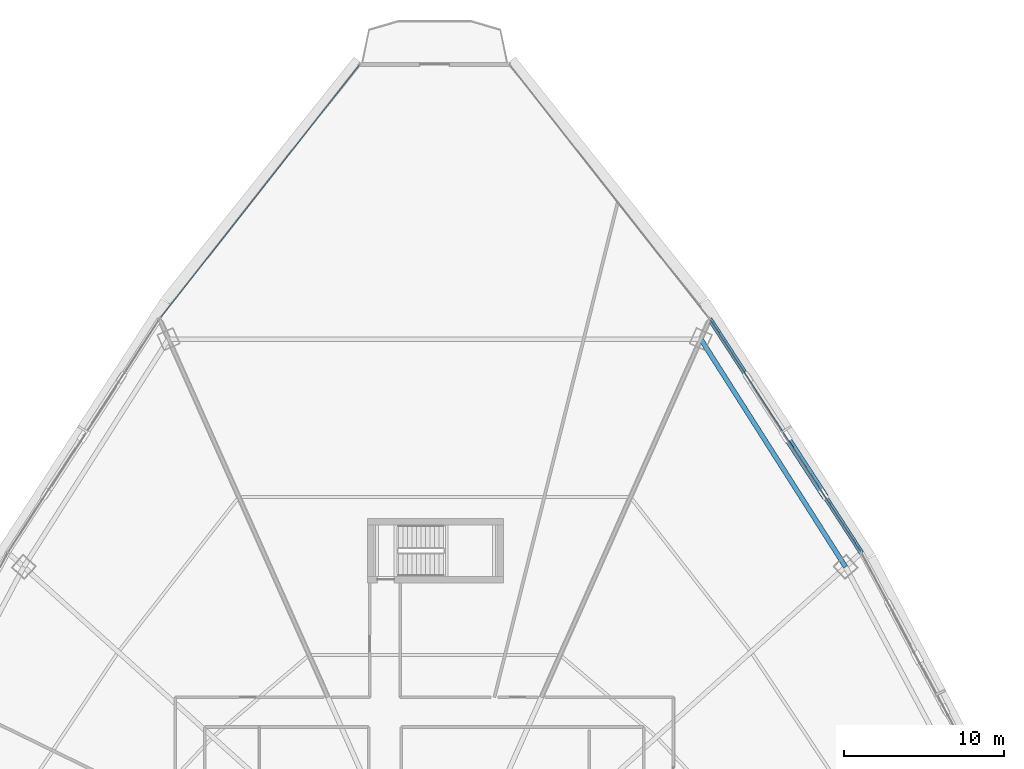
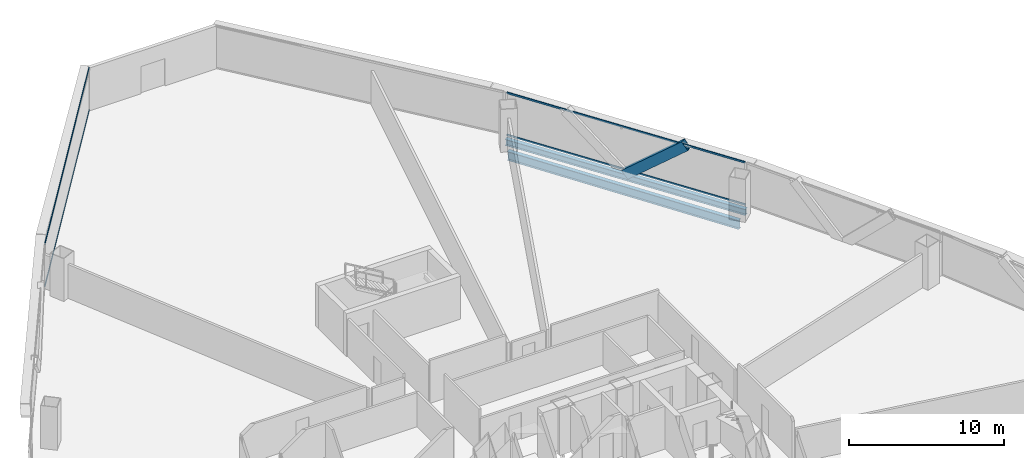
# One storey, part 25 of 37: 5 members, 2 beams, 2 elements without a shape of their own.
"""IFC4 building model written with IfcOpenShell, lengths in metres."""

from ifc_helpers import new_model, si_unit, direction, frame, origin, origin_2d, place, context, subcontext, project, spatial, hollow_rectangle, i_section, extrude, source, transform, mapped, material, layer, layer_set, material_profile, profile_set, type_object, element, aggregate, save


model = new_model("IFC4")

# Units and contexts
model_context = context("Model", 3, precision=1e-05, world=origin(), true_north=direction((0.0, 1.0)))
body_context = subcontext(model_context, "Body", "Model", "MODEL_VIEW")
ifc_project = project(units=[si_unit("LENGTHUNIT", "METRE"), si_unit("AREAUNIT", "SQUARE_METRE"), si_unit("VOLUMEUNIT", "CUBIC_METRE"), si_unit("PLANEANGLEUNIT", "RADIAN"), si_unit("MASSUNIT", "GRAM", prefix="KILO"), si_unit("THERMODYNAMICTEMPERATUREUNIT", "KELVIN"), si_unit("POWERUNIT", "WATT")], contexts=[model_context])

# Site, building, storey
site_placement = place(None, origin())
site = spatial("IfcSite", under=ifc_project, at=site_placement, CompositionType="ELEMENT")
building_placement = place(site_placement, origin())
building = spatial("IfcBuilding", under=site, at=building_placement, Name="Yunzhuo Pagoda Commons", CompositionType="ELEMENT")
storey_placement = place(building_placement, frame((0.0, 0.0, 55.81005859375)))
storey = spatial("IfcBuildingStorey", under=building, at=storey_placement, Name="L14", CompositionType="ELEMENT", Elevation=55.81005859375)

# Beams
ifc_material_1 = material(Name="Structural steel Q355B", Category="steel")
ifc_material_profile_1 = material_profile(ifc_material_1, i_section(OverallWidth=0.300048828125, OverallDepth=0.699951171875, WebThickness=0.012939453125, FlangeThickness=0.02392578125, at=origin_2d()), Name="Structural steel Q355B")
ifc_profile_set_1 = profile_set([ifc_material_profile_1], Name="Structural steel Q355B")
beam_type_1 = type_object("IfcBeamType", Name="B-RG1 Beam HN 700x300x13x24", PredefinedType="BEAM", material=ifc_profile_set_1)
shared_shape_1 = source(origin(), body_context, "Body", "SweptSolid", [
    extrude(i_section(OverallWidth=0.300048828125, OverallDepth=0.699951171875, WebThickness=0.012939453125, FlangeThickness=0.02392578125, at=origin_2d()), origin(), (0.0, 0.0, 1.0), 16.843994140625),
])
beam_1_placement = place(storey_placement, frame((73.648681640625, 56.79443359375, -0.610107421875), z_axis=(-0.536558458992, 0.843863152462, 0.0), x_axis=(-0.843863152462, -0.536558458992, 0.0)))
element("IfcBeam", 1, at=beam_1_placement, inside=storey, type_object=beam_type_1, Name="L14 column-ring beam 7", PredefinedType="BEAM", context=body_context, shape_type="MappedRepresentation", body=[
    mapped(shared_shape_1, transform((0.0, 0.0, 0.0), scale=1.0)),
])
ifc_material_profile_2 = material_profile(ifc_material_1, i_section(OverallWidth=0.300048828125, OverallDepth=0.488037109375, WebThickness=0.010986328125, FlangeThickness=0.01806640625, at=origin_2d()), Name="Structural steel Q355B")
ifc_profile_set_2 = profile_set([ifc_material_profile_2], Name="Structural steel Q355B")
beam_type_2 = type_object("IfcBeamType", Name="B-SP1 Beam HM 488x300x11x18", PredefinedType="BEAM", material=ifc_profile_set_2)
shared_shape_2 = source(origin(), body_context, "Body", "SweptSolid", [
    extrude(i_section(OverallWidth=0.300048828125, OverallDepth=0.488037109375, WebThickness=0.010986328125, FlangeThickness=0.01806640625, at=origin_2d()), origin(), (0.0, 0.0, 1.0), 17.38671875),
])
beam_2_placement = place(storey_placement, frame((74.63818359375, 57.68505859375, -0.504150390625), z_axis=(-0.544473954906, 0.838777749126, 0.0), x_axis=(-0.838777749126, -0.544473954906, 0.0)))
element("IfcBeam", 2, at=beam_2_placement, inside=storey, type_object=beam_type_2, Name="L14 facade edge spandrel beam F2.3", PredefinedType="BEAM", context=body_context, shape_type="MappedRepresentation", body=[
    mapped(shared_shape_2, transform((0.0, 0.0, 0.0), scale=1.0)),
])

# Member
ifc_material_2 = material(Name="Structural steel Q420B", Category="steel")
ifc_material_profile_3 = material_profile(ifc_material_2, hollow_rectangle(XDim=0.419921875, YDim=0.719970703125, WallThickness=0.028076171875, at=origin_2d()), Name="Structural steel Q420B")
ifc_profile_set_3 = profile_set([ifc_material_profile_3], Name="Structural steel Q420B")
member_type_1 = type_object("IfcMemberType", Name="M-DL1 Brace BOX 720x420x28", PredefinedType="BRACE", material=ifc_profile_set_3)
shared_shape_3 = source(origin(), body_context, "Body", "SweptSolid", [
    extrude(hollow_rectangle(XDim=0.419921875, YDim=0.719970703125, WallThickness=0.028076171875, at=origin_2d()), origin(), (0.0, 0.0, 1.0), 5.662841796875),
])
member_1_placement = place(storey_placement, frame((69.90478515625, 64.976806640625, -0.260009765625), z_axis=(0.41792809344, -0.643792058938, 0.640989776488), x_axis=(0.838763010276, 0.544496659855, 0.0)))
element("IfcMember", 3, at=member_1_placement, inside=storey, type_object=member_type_1, Name="L14 facade diamond brace F2.3L", PredefinedType="BRACE", context=body_context, shape_type="MappedRepresentation", body=[
    mapped(shared_shape_3, transform((0.0, 0.0, 0.0), scale=1.0)),
])

# Curtain wall, members
ifc_material_3 = material(Name="Anodized aluminium 6063-T6", Category="aluminium")
ifc_layer = layer(ifc_material_3, 0.1650390625)
ifc_layer_set = layer_set([ifc_layer], Name="Anodized aluminium 6063-T6")
curtain_wall_type = type_object("IfcCurtainWallType", Name="CW-LOW Low-Zone Ribbon Curtain Wall", PredefinedType="NOTDEFINED", material=ifc_layer_set)
curtain_wall_1_placement = place(storey_placement, origin())
curtain_wall_1 = element("IfcCurtainWall", 4, at=curtain_wall_1_placement, inside=storey, type_object=curtain_wall_type, Name="L14 curtain wall CW-L14-F2B4", PredefinedType="NOTDEFINED")
ifc_material_profile_4 = material_profile(ifc_material_3, hollow_rectangle(XDim=0.06005859375, YDim=0.139892578125, WallThickness=0.00341796875, at=origin_2d()), Name="Anodized aluminium 6063-T6")
ifc_profile_set_4 = profile_set([ifc_material_profile_4], Name="Anodized aluminium 6063-T6")
member_type_2 = type_object("IfcMemberType", Name="CW-LOW-T Transom RHS 140x60x3.5", PredefinedType="USERDEFINED", material=ifc_profile_set_4)
shared_shape_4 = source(origin(), body_context, "Body", "SweptSolid", [
    extrude(hollow_rectangle(XDim=0.06005859375, YDim=0.139892578125, WallThickness=0.00341796875, at=origin_2d()), origin(), (0.0, 0.0, 1.0), 17.256591796875),
])
member_2_placement = place(storey_placement, frame((74.602783203125, 57.739501953125, 0.030029296875), z_axis=(-0.544475548743, 0.83877671452, 0.0), x_axis=(-0.83877671452, -0.544475548743, 0.0)))
member_2 = element("IfcMember", 5, at=member_2_placement, type_object=member_type_2, Name="CW transom 1.1", ObjectType="TRANSOM", PredefinedType="USERDEFINED", context=body_context, shape_type="MappedRepresentation", body=[
    mapped(shared_shape_4, transform((0.0, 0.0, 0.0), scale=1.0)),
])
member_3_placement = place(storey_placement, frame((74.602783203125, 57.739501953125, 3.33984375), z_axis=(-0.544475548743, 0.83877671452, 0.0), x_axis=(-0.83877671452, -0.544475548743, 0.0)))
member_3 = element("IfcMember", 6, at=member_3_placement, type_object=member_type_2, Name="CW transom 1.2", ObjectType="TRANSOM", PredefinedType="USERDEFINED", context=body_context, shape_type="MappedRepresentation", body=[
    mapped(shared_shape_4, transform((0.0, 0.0, 0.0), scale=1.0)),
])
aggregate(curtain_wall_1, [member_2, member_3])

curtain_wall_2_placement = place(storey_placement, origin())
curtain_wall_2 = element("IfcCurtainWall", 7, at=curtain_wall_2_placement, inside=storey, type_object=curtain_wall_type, Name="L14 curtain wall CW-L14-F3B1", PredefinedType="NOTDEFINED")
shared_shape_5 = source(origin(), body_context, "Body", "SweptSolid", [
    extrude(hollow_rectangle(XDim=0.06005859375, YDim=0.139892578125, WallThickness=0.00341796875, at=origin_2d()), origin(), (0.0, 0.0, 1.0), 20.00244140625),
])
member_4_placement = place(storey_placement, frame((43.28173828125, 88.099365234375, 0.030029296875), z_axis=(-0.618272093207, -0.785964133254, 0.0), x_axis=(0.785964133254, -0.618272093207, 0.0)))
member_4 = element("IfcMember", 8, at=member_4_placement, type_object=member_type_2, Name="CW transom 1.1", ObjectType="TRANSOM", PredefinedType="USERDEFINED", context=body_context, shape_type="MappedRepresentation", body=[
    mapped(shared_shape_5, transform((0.0, 0.0, 0.0), scale=1.0)),
])
member_5_placement = place(storey_placement, frame((43.28173828125, 88.099365234375, 3.33984375), z_axis=(-0.618272093207, -0.785964133254, 0.0), x_axis=(0.785964133254, -0.618272093207, 0.0)))
member_5 = element("IfcMember", 9, at=member_5_placement, type_object=member_type_2, Name="CW transom 1.2", ObjectType="TRANSOM", PredefinedType="USERDEFINED", context=body_context, shape_type="MappedRepresentation", body=[
    mapped(shared_shape_5, transform((0.0, 0.0, 0.0), scale=1.0)),
])
aggregate(curtain_wall_2, [member_4, member_5])

save(model, "model.ifc")
